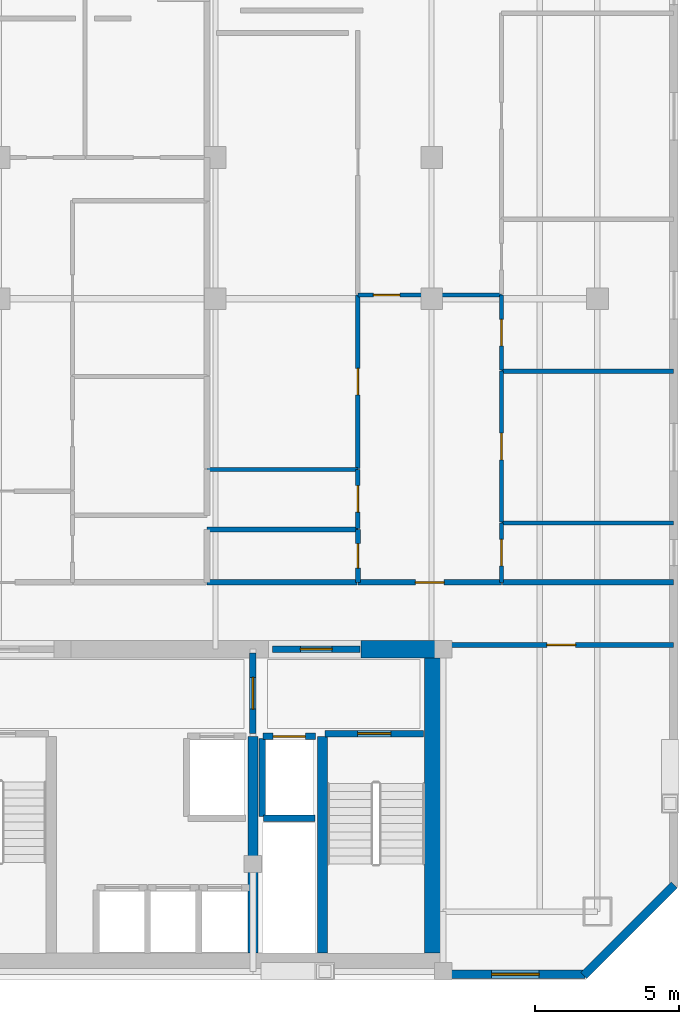
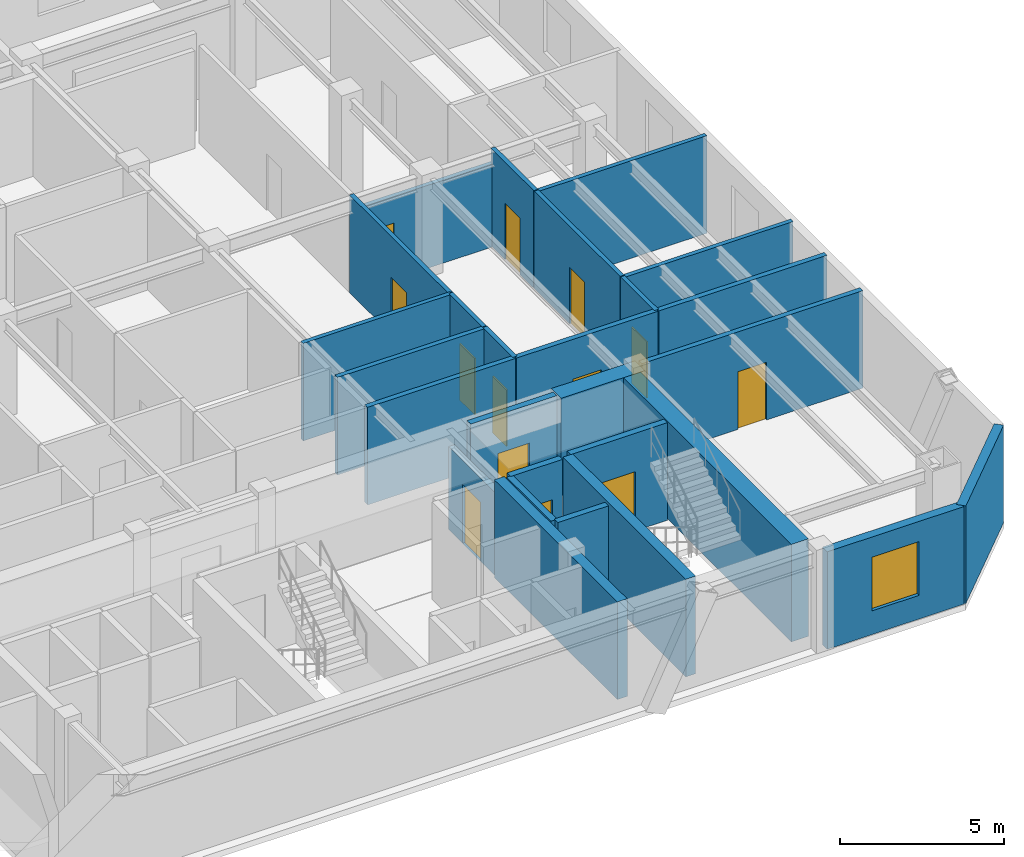
# One storey, part 7 of 10: 27 walls, 13 doors, 1 window, 14 openings.
"""IFC4 building model written with IfcOpenShell, lengths in metres."""

import ifcopenshell
import ifcopenshell.guid

model = None  # the IFC model being written
_history = None  # IfcOwnerHistory: only IFC2X3 demands one
_inside = {}  # id of a spatial element -> (the spatial element, [elements in it])
_under = {}  # id of a project, library or spatial element -> (it, [spatial elements below it])
_declared = {}  # id of a project -> (the project, [libraries it declares])
_typed = {}  # id of a type object -> (the type object, [elements of that type])
_made_of = {}  # id of a material, layer set ... -> (it, [elements and type objects made of it])


def new_model(schema):
    """Start an empty IFC model of exactly this schema.

    Asked for "IFC4X3", IfcOpenShell would pick the latest addendum, in which some entities
    have other attributes; the version numbers below select the first issue.
    IFC2X3 requires an IfcOwnerHistory on every rooted entity: one is made here for all.
    """
    global model, _history
    if schema == "IFC4X3":
        model = ifcopenshell.file(schema_version=(4, 3, 0, 0))
    else:
        model = ifcopenshell.file(schema=schema)
    _inside.clear()
    _under.clear()
    _declared.clear()
    _typed.clear()
    _made_of.clear()
    _history = None
    if model.schema == "IFC2X3":
        org = make("IfcOrganization", Name="unknown")
        user = make(
            "IfcPersonAndOrganization",
            ThePerson=make("IfcPerson", FamilyName="unknown"),
            TheOrganization=org,
        )
        app = make(
            "IfcApplication",
            ApplicationDeveloper=org,
            Version="unknown",
            ApplicationFullName="unknown",
            ApplicationIdentifier="unknown",
        )
        _history = make(
            "IfcOwnerHistory",
            OwningUser=user,
            OwningApplication=app,
            ChangeAction="ADDED",
            CreationDate=0,
        )
    return model


def make(cls, **values):
    """One entity of the class cls with the attributes given. An attribute that is None is left unset."""
    return model.create_entity(
        cls, **{name: value for name, value in values.items() if value is not None}
    )


def rooted(cls, **values):
    """An entity with a GlobalId (a new one), such as an element, a storey or a relation."""
    return make(cls, GlobalId=ifcopenshell.guid.new(), OwnerHistory=_history, **values)


def si_unit(unit_type, name, prefix=None):
    """IfcSIUnit, for example si_unit("LENGTHUNIT", "METRE", prefix="MILLI")."""
    return make("IfcSIUnit", UnitType=unit_type, Prefix=prefix, Name=name)


def assignment(units):
    """IfcUnitAssignment: the units of a project."""
    return None if units is None else make("IfcUnitAssignment", Units=units)


def point(xyz):
    """IfcCartesianPoint."""
    return None if xyz is None else make("IfcCartesianPoint", Coordinates=xyz)


def direction(xyz):
    """IfcDirection."""
    return None if xyz is None else make("IfcDirection", DirectionRatios=xyz)


def frame(location, z_axis=None, x_axis=None):
    """IfcAxis2Placement3D, a coordinate frame: its origin and axes. An axis left out is left unset."""
    return make(
        "IfcAxis2Placement3D",
        Location=point(location),
        Axis=direction(z_axis),
        RefDirection=direction(x_axis),
    )


def frame_2d(location, x_axis=None):
    """IfcAxis2Placement2D, a coordinate frame in the plane: its origin and x axis."""
    return make(
        "IfcAxis2Placement2D", Location=point(location), RefDirection=direction(x_axis)
    )


def origin():
    """The frame at (0, 0, 0) with its axes left unset."""
    return frame((0.0, 0.0, 0.0))


def place(relative_to, where):
    """IfcLocalPlacement: puts the frame where relative to a parent placement (None: the world)."""
    return make(
        "IfcLocalPlacement", PlacementRelTo=relative_to, RelativePlacement=where
    )


def context(
    kind, dimensions, precision=None, world=None, true_north=None, identifier=None
):
    """IfcGeometricRepresentationContext, for example the 3D "Model" context."""
    return make(
        "IfcGeometricRepresentationContext",
        ContextIdentifier=identifier,
        ContextType=kind,
        CoordinateSpaceDimension=dimensions,
        Precision=precision,
        WorldCoordinateSystem=world,
        TrueNorth=true_north,
    )


def subcontext(parent, identifier, kind, view, scale=None):
    """IfcGeometricRepresentationSubContext, for example "Body" below "Model"."""
    return make(
        "IfcGeometricRepresentationSubContext",
        ContextIdentifier=identifier,
        ContextType=kind,
        ParentContext=parent,
        TargetScale=scale,
        TargetView=view,
    )


def project(units=None, contexts=None):
    """IfcProject with its units and contexts."""
    return rooted(
        "IfcProject",
        Name="project",
        RepresentationContexts=contexts,
        UnitsInContext=assignment(units),
    )


def spatial(cls, under=None, at=None, **own):
    """A site, building, storey or space (cls), placed at a placement, below another one or the project."""
    s = rooted(cls, ObjectPlacement=at, **own)
    if under is not None:
        _under.setdefault(under.id(), (under, []))[1].append(s)
    return s


def profile(cls, at=None, kind="AREA", **sizes):
    """A parametric profile (cls). Its sizes go by their IFC names, for example OverallWidth=200.0."""
    return make(cls, ProfileType=kind, Position=at, **sizes)


def rectangle(**sizes):
    """IfcRectangleProfileDef."""
    return profile("IfcRectangleProfileDef", **sizes)


def extrude(swept, where, along, depth):
    """IfcExtrudedAreaSolid: the profile swept, set in the frame where, extruded along a direction by depth."""
    return make(
        "IfcExtrudedAreaSolid",
        SweptArea=swept,
        Position=where,
        ExtrudedDirection=direction(along),
        Depth=depth,
    )


def shape(context_of_items, identifier, shape_type, items):
    """IfcShapeRepresentation: the items that make up one representation, for example the "Body"."""
    return make(
        "IfcShapeRepresentation",
        ContextOfItems=context_of_items,
        RepresentationIdentifier=identifier,
        RepresentationType=shape_type,
        Items=items,
    )


def material(Name=None, Category=None):
    """IfcMaterial."""
    return make("IfcMaterial", Name=Name, Category=Category)


def layer(
    of_material, thickness, ventilated=None, Name=None, Category=None, Priority=None
):
    """IfcMaterialLayer: one layer of a wall or slab, of a material (None: an air gap)."""
    return make(
        "IfcMaterialLayer",
        Material=of_material,
        LayerThickness=thickness,
        IsVentilated=ventilated,
        Name=Name,
        Category=Category,
        Priority=Priority,
    )


def layer_set(layers, Name=None):
    """IfcMaterialLayerSet."""
    return make("IfcMaterialLayerSet", MaterialLayers=layers, LayerSetName=Name)


def made_of(thing, what):
    """Note that an element or type object is made of a material, layer set ...; save() writes the relation."""
    if what is not None:
        _made_of.setdefault(what.id(), (what, []))[1].append(thing)
    return thing


def type_object(cls, material=None, **own):
    """A type object (cls), such as IfcWallType, which elements share."""
    return made_of(rooted(cls, **own), material)


def element(
    cls,
    number,
    at=None,
    inside=None,
    cuts=None,
    type_object=None,
    material=None,
    context=None,
    identifier="Body",
    shape_type=None,
    held_by="IfcProductDefinitionShape",
    body=None,
    shapes=None,
    **own,
):
    """One element of the class cls, such as IfcWall. Its Tag is "e" and its number.

    at: its placement. inside: the storey or other place that contains it. cuts: it is an
    opening in that element (IfcRelVoidsElement). A single representation is given by context,
    identifier, shape_type and body (its items); several are given by shapes. held_by: the class
    of the entity that holds the representations. save() writes the other relations.
    """
    e = rooted(cls, Tag="e%d" % number, ObjectPlacement=at, **own)
    if body is not None:
        shapes = [shape(context, identifier, shape_type, body)]
    if shapes is not None:
        e.Representation = make(held_by, Representations=shapes)
    if inside is not None:
        _inside.setdefault(inside.id(), (inside, []))[1].append(e)
    if cuts is not None:
        rooted(
            "IfcRelVoidsElement", RelatingBuildingElement=cuts, RelatedOpeningElement=e
        )
    if type_object is not None:
        _typed.setdefault(type_object.id(), (type_object, []))[1].append(e)
    return made_of(e, material)


def fill(opening, filler):
    """IfcRelFillsElement: the door or window that sits in an opening."""
    return rooted(
        "IfcRelFillsElement",
        RelatingOpeningElement=opening,
        RelatedBuildingElement=filler,
    )


def aggregate(whole, parts):
    """IfcRelAggregates: a whole, such as a stair, and the parts it consists of."""
    return rooted("IfcRelAggregates", RelatingObject=whole, RelatedObjects=parts)


def save(model, path):
    """Write the relations noted so far, then the file.

    IfcRelAggregates (storeys below a building ...), IfcRelContainedInSpatialStructure (elements
    in a storey), IfcRelDefinesByType, IfcRelAssociatesMaterial and IfcRelDeclares: one each for
    every whole, place, type object, material and project.
    """
    for whole, parts in _under.values():
        aggregate(whole, parts)
    for where, things in _inside.values():
        rooted(
            "IfcRelContainedInSpatialStructure",
            RelatedElements=things,
            RelatingStructure=where,
        )
    for kind, things in _typed.values():
        rooted("IfcRelDefinesByType", RelatedObjects=things, RelatingType=kind)
    for what, things in _made_of.values():
        rooted("IfcRelAssociatesMaterial", RelatedObjects=things, RelatingMaterial=what)
    for by, libraries in _declared.values():
        rooted("IfcRelDeclares", RelatingContext=by, RelatedDefinitions=libraries)
    model.write(path)


model = new_model("IFC4")

# Units and contexts
model_context = context("Model", 3, precision=1e-05, world=origin(), true_north=direction((0.0, 1.0)))
body_context = subcontext(model_context, "Body", "Model", "MODEL_VIEW")
ifc_project = project(units=[si_unit("LENGTHUNIT", "METRE"), si_unit("AREAUNIT", "SQUARE_METRE"), si_unit("VOLUMEUNIT", "CUBIC_METRE"), si_unit("PLANEANGLEUNIT", "RADIAN"), si_unit("MASSUNIT", "GRAM", prefix="KILO")], contexts=[model_context])

# Site, building, storey
site_placement = place(None, origin())
site = spatial("IfcSite", under=ifc_project, at=site_placement, CompositionType="ELEMENT")
building_placement = place(site_placement, origin())
building = spatial("IfcBuilding", under=site, at=building_placement, Name="Ventersveld Concourse Tower", CompositionType="ELEMENT")
storey_placement = place(building_placement, frame((0.0, 0.0, 208.0)))
storey = spatial("IfcBuildingStorey", under=building, at=storey_placement, Name="L51", CompositionType="ELEMENT", Elevation=208.0)

# Walls
ifc_material_1 = material(Name="Concrete C50/60", Category="concrete")
ifc_layer_1 = layer(ifc_material_1, 0.35009765625)
ifc_layer_set_1 = layer_set([ifc_layer_1], Name="Concrete C50/60")
wall_type_1 = type_object("IfcWallType", Name="WL-CORE-350U", PredefinedType="SHEAR", material=ifc_layer_set_1)
for number, where, z_axis, x_axis, name in (
    (1, (37.550048828125, 0.919921875, 0.0), (0.0, 0.0, 1.0), (0.0, 1.0, 0.0), "L51 Core Internal Shear Web W-SVL-W"),
    (2, (39.9599609375, 0.919921875, 0.0), (0.0, 0.0, 1.0), (0.0, 1.0, 0.0), "L51 Core Internal Shear Web W-ST2-W"),
):
    element("IfcWall", number, at=place(storey_placement, frame(where, z_axis=z_axis, x_axis=x_axis)), inside=storey, type_object=wall_type_1, Name=name, PredefinedType="SHEAR", context=body_context, shape_type="SweptSolid", body=[
        extrude(rectangle(XDim=7.5, YDim=0.35009765625, at=frame_2d((3.75, 0.0))), origin(), (0.0, 0.0, 1.0), 3.6298828125),
    ])
ifc_layer_2 = layer(ifc_material_1, 0.60009765625)
ifc_layer_set_2 = layer_set([ifc_layer_2], Name="Concrete C50/60")
wall_type_2 = type_object("IfcWallType", Name="WL-CORE-600", PredefinedType="SHEAR", material=ifc_layer_set_2)
wall_1_placement = place(storey_placement, frame((43.800048828125, 0.919921875, 0.0), z_axis=(0.0, 0.0, 1.0), x_axis=(0.0, 1.0, 0.0)))
element("IfcWall", 3, at=wall_1_placement, inside=storey, type_object=wall_type_2, Name="L51 Rear Core East Shear Wall", PredefinedType="SHEAR", context=body_context, shape_type="SweptSolid", body=[
    extrude(rectangle(XDim=10.530029296875, YDim=0.60009765625, at=frame_2d((5.26513671875, 0.0))), origin(), (0.0, 0.0, 1.0), 3.6298828125),
])
wall_2_placement = place(storey_placement, frame((41.300048828125, 11.449951171875, 0.0), z_axis=(0.0, 0.0, 1.0), x_axis=(1.0, 0.0, 0.0)))
element("IfcWall", 4, at=wall_2_placement, inside=storey, type_object=wall_type_2, Name="L51 Rear Core North Shear Wall NE", PredefinedType="SHEAR", context=body_context, shape_type="SweptSolid", body=[
    extrude(rectangle(XDim=2.949951171875, YDim=0.60009765625, at=frame_2d((1.47509765625, 0.0))), origin(), (0.0, 0.0, 1.0), 3.6298828125),
])

# Wall, opening, door
ifc_material_2 = material(Name="Fire-rated autoclaved aerated masonry blockwork", Category="masonry")
ifc_layer_3 = layer(ifc_material_2, 0.179931640625)
ifc_layer_set_3 = layer_set([ifc_layer_3], Name="Fire-rated autoclaved aerated masonry blockwork")
wall_type_3 = type_object("IfcWallType", Name="WL-CORR-180", PredefinedType="PARTITIONING", material=ifc_layer_set_3)
wall_3_placement = place(storey_placement, frame((44.35498046875, 11.60009765625, 0.0), z_axis=(0.0, 0.0, 1.0), x_axis=(1.0, 0.0, 0.0)))
wall_3 = element("IfcWall", 5, at=wall_3_placement, inside=storey, type_object=wall_type_3, Name="L51 Interior Partition SP-L51-SE-OFF-SP-L51-COR", PredefinedType="PARTITIONING", context=body_context, shape_type="SweptSolid", body=[
    extrude(rectangle(XDim=7.7724609375, YDim=0.179931640625, at=frame_2d((3.88623046875, 0.0))), origin(), (0.0, 0.0, 1.0), 3.6298828125),
])
opening_1_placement = place(wall_3_placement, frame((3.38623046875, 0.0, 0.0)))
opening_1 = element("IfcOpeningElement", 6, at=opening_1_placement, cuts=wall_3, Name="Opening FD3", PredefinedType="OPENING", context=body_context, shape_type="SweptSolid", body=[
    extrude(rectangle(XDim=1.0, YDim=2.14990234375, at=frame_2d((0.5, 1.074951171875))), frame((0.0, 0.10009765625, 0.0), z_axis=(0.0, -1.0, 0.0), x_axis=(1.0, 0.0, 0.0)), (0.0, 0.0, 1.0), 0.199951171875),
])
ifc_material_3 = material(Name="Solid-core hardwood veneer timber", Category="wood")
door_type_1 = type_object("IfcDoorType", Name="DR-FLAT-100", OperationType="NOTDEFINED", PredefinedType="DOOR", material=ifc_material_3)
door_1_placement = place(opening_1_placement, origin())
door_1 = element("IfcDoor", 7, at=door_1_placement, inside=storey, type_object=door_type_1, Name="L51 Interior Door SP-L51-SE-OFF to SP-L51-COR (D-L51-2477)", OperationType="SINGLE_SWING_LEFT", OverallHeight=2.14990234375, OverallWidth=1.0, PredefinedType="DOOR", context=body_context, shape_type="SweptSolid", body=[
    extrude(rectangle(XDim=1.0, YDim=2.14990234375, at=frame_2d((0.5, 1.074951171875))), frame((0.0, 0.02490234375, 0.0), z_axis=(0.0, -1.0, 0.0), x_axis=(1.0, 0.0, 0.0)), (0.0, 0.0, 1.0), 0.050048828125),
])
fill(opening_1, door_1)

wall_4_placement = place(storey_placement, frame((41.18798828125, 13.77001953125, 0.0), z_axis=(0.0, 0.0, 1.0), x_axis=(1.0, 0.0, 0.0)))
wall_4 = element("IfcWall", 8, at=wall_4_placement, inside=storey, type_object=wall_type_3, Name="L51 Interior Partition SP-L51-COR-SP-L51-51CE-FOY", PredefinedType="PARTITIONING", context=body_context, shape_type="SweptSolid", body=[
    extrude(rectangle(XDim=4.989990234375, YDim=0.179931640625, at=frame_2d((2.4951171875, 0.0))), origin(), (0.0, 0.0, 1.0), 3.6298828125),
])
opening_2_placement = place(wall_4_placement, frame((1.9951171875, 0.0, 0.0)))
opening_2 = element("IfcOpeningElement", 9, at=opening_2_placement, cuts=wall_4, Name="Opening FD3", PredefinedType="OPENING", context=body_context, shape_type="SweptSolid", body=[
    extrude(rectangle(XDim=1.0, YDim=2.14990234375, at=frame_2d((0.5, 1.074951171875))), frame((0.0, 0.10009765625, 0.0), z_axis=(0.0, -1.0, 0.0), x_axis=(1.0, 0.0, 0.0)), (0.0, 0.0, 1.0), 0.199951171875),
])
door_2_placement = place(opening_2_placement, origin())
door_2 = element("IfcDoor", 10, at=door_2_placement, inside=storey, type_object=door_type_1, Name="L51 Interior Door SP-L51-COR to SP-L51-51CE-FOY (FD-L51-2479)", OperationType="SINGLE_SWING_LEFT", OverallHeight=2.14990234375, OverallWidth=1.0, PredefinedType="DOOR", context=body_context, shape_type="SweptSolid", body=[
    extrude(rectangle(XDim=1.0, YDim=2.14990234375, at=frame_2d((0.5, 1.074951171875))), frame((0.0, 0.02490234375, 0.0), z_axis=(0.0, -1.0, 0.0), x_axis=(1.0, 0.0, 0.0)), (0.0, 0.0, 1.0), 0.050048828125),
])
fill(opening_2, door_2)

# Walls
wall_5_placement = place(storey_placement, frame((35.955078125, 13.77001953125, 0.0), z_axis=(0.0, 0.0, 1.0), x_axis=(1.0, 0.0, 0.0)))
element("IfcWall", 11, at=wall_5_placement, inside=storey, type_object=wall_type_3, Name="L51 Interior Partition SP-L51-COR-SP-L51-51CE-BATH", PredefinedType="PARTITIONING", context=body_context, shape_type="SweptSolid", body=[
    extrude(rectangle(XDim=5.203125, YDim=0.179931640625, at=frame_2d((2.6015625, 0.0))), origin(), (0.0, 0.0, 1.0), 3.6298828125),
])
wall_6_placement = place(storey_placement, frame((46.2080078125, 13.77001953125, 0.0), z_axis=(0.0, 0.0, 1.0), x_axis=(1.0, 0.0, 0.0)))
element("IfcWall", 12, at=wall_6_placement, inside=storey, type_object=wall_type_3, Name="L51 Interior Partition SP-L51-COR-SP-L51-51CE-KIT", PredefinedType="PARTITIONING", context=body_context, shape_type="SweptSolid", body=[
    extrude(rectangle(XDim=5.91943359375, YDim=0.179931640625, at=frame_2d((2.959716796875, 0.0))), origin(), (0.0, 0.0, 1.0), 3.6298828125),
])
ifc_layer_4 = layer(ifc_material_2, 0.219970703125)
ifc_layer_set_4 = layer_set([ifc_layer_4], Name="Fire-rated autoclaved aerated masonry blockwork")
wall_type_4 = type_object("IfcWallType", Name="WL-HOIST-220", PredefinedType="SOLIDWALL", material=ifc_layer_set_4)
wall_7_placement = place(storey_placement, frame((37.919921875, 5.590087890625, 0.0), z_axis=(0.0, 0.0, 1.0), x_axis=(1.0, 0.0, 0.0)))
element("IfcWall", 13, at=wall_7_placement, inside=storey, type_object=wall_type_4, Name="L51 Lift Hoistway Back Wall FFL-02", PredefinedType="SOLIDWALL", context=body_context, shape_type="SweptSolid", body=[
    extrude(rectangle(XDim=1.780029296875, YDim=0.219970703125, at=frame_2d((0.89013671875, 0.0))), origin(), (0.0, 0.0, 1.0), 3.6298828125),
])
wall_8_placement = place(storey_placement, frame((37.8798828125, 5.64990234375, 0.0), z_axis=(0.0, 0.0, 1.0), x_axis=(0.0, 1.0, 0.0)))
element("IfcWall", 14, at=wall_8_placement, inside=storey, type_object=wall_type_4, Name="L51 Lift Hoistway Side Wall FFL-02W", PredefinedType="SOLIDWALL", context=body_context, shape_type="SweptSolid", body=[
    extrude(rectangle(XDim=2.7001953125, YDim=0.219970703125, at=frame_2d((1.35009765625, 0.0))), origin(), (0.0, 0.0, 1.0), 3.6298828125),
])

# Wall, opening, door
wall_9_placement = place(storey_placement, frame((37.89990234375, 8.429931640625, 0.0), z_axis=(0.0, 0.0, 1.0), x_axis=(1.0, 0.0, 0.0)))
wall_9 = element("IfcWall", 15, at=wall_9_placement, inside=storey, type_object=wall_type_4, Name="L51 Lift Hoistway Front Wall FFL-02", PredefinedType="SOLIDWALL", context=body_context, shape_type="SweptSolid", body=[
    extrude(rectangle(XDim=1.820068359375, YDim=0.219970703125, at=frame_2d((0.91015625, 0.0))), origin(), (0.0, 0.0, 1.0), 3.6298828125),
])
opening_3_placement = place(wall_9_placement, frame((0.35009765625, 0.0, 0.0)))
opening_3 = element("IfcOpeningElement", 16, at=opening_3_placement, cuts=wall_9, Name="Opening LD1", PredefinedType="OPENING", context=body_context, shape_type="SweptSolid", body=[
    extrude(rectangle(XDim=1.1201171875, YDim=2.25, at=frame_2d((0.56005859375, 1.125))), frame((0.0, 0.1201171875, 0.0), z_axis=(0.0, -1.0, 0.0), x_axis=(1.0, 0.0, 0.0)), (0.0, 0.0, 1.0), 0.239990234375),
])
ifc_material_4 = material(Name="Brushed stainless steel 316", Category="steel")
door_type_2 = type_object("IfcDoorType", Name="LD-FF-112", OperationType="SLIDING_TO_LEFT", PredefinedType="DOOR", material=ifc_material_4)
door_3_placement = place(opening_3_placement, origin())
door_3 = element("IfcDoor", 17, at=door_3_placement, inside=storey, type_object=door_type_2, Name="L51 Lift landing door FFL-02 (LD-L51-FFL-02)", OperationType="SLIDING_TO_RIGHT", OverallHeight=2.25, OverallWidth=1.1201171875, PredefinedType="DOOR", context=body_context, shape_type="SweptSolid", body=[
    extrude(rectangle(XDim=1.1201171875, YDim=2.25, at=frame_2d((0.56005859375, 1.125))), frame((0.0, 0.02490234375, 0.0), z_axis=(0.0, -1.0, 0.0), x_axis=(1.0, 0.0, 0.0)), (0.0, 0.0, 1.0), 0.050048828125),
])
fill(opening_3, door_3)

wall_10_placement = place(storey_placement, frame((40.06005859375, 8.52001953125, 0.0), z_axis=(0.0, 0.0, 1.0), x_axis=(1.0, 0.0, 0.0)))
wall_10 = element("IfcWall", 18, at=wall_10_placement, inside=storey, type_object=wall_type_4, Name="L51 Escape Stair ST02 Fire Wall", PredefinedType="SOLIDWALL", context=body_context, shape_type="SweptSolid", body=[
    extrude(rectangle(XDim=3.39990234375, YDim=0.219970703125, at=frame_2d((1.699951171875, 0.0))), origin(), (0.0, 0.0, 1.0), 3.6298828125),
])
opening_4_placement = place(wall_10_placement, frame((1.125, 0.0, 0.0)))
opening_4 = element("IfcOpeningElement", 19, at=opening_4_placement, cuts=wall_10, Name="Opening FD1", PredefinedType="OPENING", context=body_context, shape_type="SweptSolid", body=[
    extrude(rectangle(XDim=1.14990234375, YDim=2.199951171875, at=frame_2d((0.574951171875, 1.10009765625))), frame((0.0, 0.1201171875, 0.0), z_axis=(0.0, -1.0, 0.0), x_axis=(1.0, 0.0, 0.0)), (0.0, 0.0, 1.0), 0.239990234375),
])
ifc_material_5 = material(Name="Galvanised painted steel", Category="steel")
door_type_3 = type_object("IfcDoorType", Name="DR-STAIR-115", OperationType="NOTDEFINED", PredefinedType="DOOR", material=ifc_material_5)
door_4_placement = place(opening_4_placement, origin())
door_4 = element("IfcDoor", 20, at=door_4_placement, inside=storey, type_object=door_type_3, Name="L51 Escape Stair Door ST02 (SD-L51-2468)", OperationType="SINGLE_SWING_RIGHT", OverallHeight=2.199951171875, OverallWidth=1.14990234375, PredefinedType="DOOR", context=body_context, shape_type="SweptSolid", body=[
    extrude(rectangle(XDim=1.14990234375, YDim=2.199951171875, at=frame_2d((0.574951171875, 1.10009765625))), frame((0.0, 0.02490234375, 0.0), z_axis=(0.0, -1.0, 0.0), x_axis=(1.0, 0.0, 0.0)), (0.0, 0.0, 1.0), 0.050048828125),
])
fill(opening_4, door_4)

wall_11_placement = place(storey_placement, frame((37.550048828125, 8.52001953125, 0.0), z_axis=(0.0, 0.0, 1.0), x_axis=(0.0, 1.0, 0.0)))
wall_11 = element("IfcWall", 21, at=wall_11_placement, inside=storey, type_object=wall_type_4, Name="L51 Firefighting Lobby Smoke-Stop Wall FFLE-SEP", PredefinedType="SOLIDWALL", context=body_context, shape_type="SweptSolid", body=[
    extrude(rectangle(XDim=2.800048828125, YDim=0.219970703125, at=frame_2d((1.39990234375, 0.0))), origin(), (0.0, 0.0, 1.0), 3.08544921875),
])
opening_5_placement = place(wall_11_placement, frame((0.85009765625, 0.0, 0.0)))
opening_5 = element("IfcOpeningElement", 22, at=opening_5_placement, cuts=wall_11, Name="Opening FD2", PredefinedType="OPENING", context=body_context, shape_type="SweptSolid", body=[
    extrude(rectangle(XDim=1.10009765625, YDim=2.199951171875, at=frame_2d((0.550048828125, 1.10009765625))), frame((0.0, 0.1201171875, 0.0), z_axis=(0.0, -1.0, 0.0), x_axis=(1.0, 0.0, 0.0)), (0.0, 0.0, 1.0), 0.239990234375),
])
door_type_4 = type_object("IfcDoorType", Name="DR-FFL-110", OperationType="NOTDEFINED", PredefinedType="DOOR", material=ifc_material_5)
door_5_placement = place(opening_5_placement, origin())
door_5 = element("IfcDoor", 23, at=door_5_placement, inside=storey, type_object=door_type_4, Name="L51 Firefighting Lobby Door FFLE-SEP (FD-L51-2471)", OperationType="SINGLE_SWING_RIGHT", OverallHeight=2.199951171875, OverallWidth=1.10009765625, PredefinedType="DOOR", context=body_context, shape_type="SweptSolid", body=[
    extrude(rectangle(XDim=1.10009765625, YDim=2.199951171875, at=frame_2d((0.550048828125, 1.10009765625))), frame((0.0, 0.02490234375, 0.0), z_axis=(0.0, -1.0, 0.0), x_axis=(1.0, 0.0, 0.0)), (0.0, 0.0, 1.0), 0.050048828125),
])
fill(opening_5, door_5)

wall_12_placement = place(storey_placement, frame((38.22998046875, 11.449951171875, 0.0), z_axis=(0.0, 0.0, 1.0), x_axis=(1.0, 0.0, 0.0)))
wall_12 = element("IfcWall", 24, at=wall_12_placement, inside=storey, type_object=wall_type_4, Name="L51 Core North Fire Portal FFLE-OUT", PredefinedType="SOLIDWALL", context=body_context, shape_type="SweptSolid", body=[
    extrude(rectangle(XDim=3.0400390625, YDim=0.219970703125, at=frame_2d((1.52001953125, 0.0))), origin(), (0.0, 0.0, 1.0), 3.6298828125),
])
opening_6_placement = place(wall_12_placement, frame((0.969970703125, 0.0, 0.0)))
opening_6 = element("IfcOpeningElement", 25, at=opening_6_placement, cuts=wall_12, Name="Opening FD2", PredefinedType="OPENING", context=body_context, shape_type="SweptSolid", body=[
    extrude(rectangle(XDim=1.10009765625, YDim=2.199951171875, at=frame_2d((0.550048828125, 1.10009765625))), frame((0.0, 0.1201171875, 0.0), z_axis=(0.0, -1.0, 0.0), x_axis=(1.0, 0.0, 0.0)), (0.0, 0.0, 1.0), 0.239990234375),
])
door_6_placement = place(opening_6_placement, origin())
door_6 = element("IfcDoor", 26, at=door_6_placement, inside=storey, type_object=door_type_4, Name="L51 Core Lobby Fire Door FFLE-OUT (FD-L51-2474)", OperationType="SINGLE_SWING_LEFT", OverallHeight=2.199951171875, OverallWidth=1.10009765625, PredefinedType="DOOR", context=body_context, shape_type="SweptSolid", body=[
    extrude(rectangle(XDim=1.10009765625, YDim=2.199951171875, at=frame_2d((0.550048828125, 1.10009765625))), frame((0.0, 0.02490234375, 0.0), z_axis=(0.0, -1.0, 0.0), x_axis=(1.0, 0.0, 0.0)), (0.0, 0.0, 1.0), 0.050048828125),
])
fill(opening_6, door_6)

ifc_material_6 = material(Name="Autoclaved aerated masonry blockwork", Category="masonry")
ifc_layer_5 = layer(ifc_material_6, 0.14990234375)
ifc_layer_set_5 = layer_set([ifc_layer_5], Name="Autoclaved aerated masonry blockwork")
wall_type_5 = type_object("IfcWallType", Name="WL-INT-150", PredefinedType="PARTITIONING", material=ifc_layer_set_5)
wall_13_placement = place(storey_placement, frame((41.18798828125, 23.72900390625, 0.0), z_axis=(0.0, 0.0, 1.0), x_axis=(1.0, 0.0, 0.0)))
wall_13 = element("IfcWall", 27, at=wall_13_placement, inside=storey, type_object=wall_type_5, Name="L51 Interior Partition SP-L51-51CE-FOY-SP-L51-51CE-LIV", PredefinedType="PARTITIONING", context=body_context, shape_type="SweptSolid", body=[
    extrude(rectangle(XDim=4.989990234375, YDim=0.14990234375, at=frame_2d((2.4951171875, 0.0))), origin(), (0.0, 0.0, 1.0), 3.08544921875),
])
opening_7_placement = place(wall_13_placement, frame((0.5380859375, 0.0, 0.0)))
opening_7 = element("IfcOpeningElement", 28, at=opening_7_placement, cuts=wall_13, Name="Opening ID1", PredefinedType="OPENING", context=body_context, shape_type="SweptSolid", body=[
    extrude(rectangle(XDim=0.919921875, YDim=2.10009765625, at=frame_2d((0.4599609375, 1.050048828125))), frame((0.0, 0.0849609375, 0.0), z_axis=(0.0, -1.0, 0.0), x_axis=(1.0, 0.0, 0.0)), (0.0, 0.0, 1.0), 0.169921875),
])
door_type_5 = type_object("IfcDoorType", Name="DR-ROOM-092", OperationType="NOTDEFINED", PredefinedType="DOOR", material=ifc_material_3)
door_7_placement = place(opening_7_placement, origin())
door_7 = element("IfcDoor", 29, at=door_7_placement, inside=storey, type_object=door_type_5, Name="L51 Interior Door SP-L51-51CE-FOY to SP-L51-51CE-LIV (D-L51-2490)", OperationType="SINGLE_SWING_RIGHT", OverallHeight=2.10009765625, OverallWidth=0.919921875, PredefinedType="DOOR", context=body_context, shape_type="SweptSolid", body=[
    extrude(rectangle(XDim=0.919921875, YDim=2.10009765625, at=frame_2d((0.4599609375, 1.050048828125))), frame((0.0, 0.02490234375, 0.0), z_axis=(0.0, -1.0, 0.0), x_axis=(1.0, 0.0, 0.0)), (0.0, 0.0, 1.0), 0.050048828125),
])
fill(opening_7, door_7)

wall_14_placement = place(storey_placement, frame((41.193115234375, 15.635009765625, 0.0), z_axis=(0.0, 0.0, 1.0), x_axis=(0.0, 1.0, 0.0)))
wall_14 = element("IfcWall", 30, at=wall_14_placement, inside=storey, type_object=wall_type_5, Name="L51 Interior Partition SP-L51-51CE-FOY-SP-L51-51CE-PANL0", PredefinedType="PARTITIONING", context=body_context, shape_type="SweptSolid", body=[
    extrude(rectangle(XDim=2.0498046875, YDim=0.14990234375, at=frame_2d((1.02490234375, 0.0))), origin(), (0.0, 0.0, 1.0), 3.6298828125),
])
opening_8_placement = place(wall_14_placement, frame((0.56494140625, 0.0, 0.0)))
opening_8 = element("IfcOpeningElement", 31, at=opening_8_placement, cuts=wall_14, Name="Opening ID1", PredefinedType="OPENING", context=body_context, shape_type="SweptSolid", body=[
    extrude(rectangle(XDim=0.919921875, YDim=2.10009765625, at=frame_2d((0.4599609375, 1.050048828125))), frame((0.0, 0.0849609375, 0.0), z_axis=(0.0, -1.0, 0.0), x_axis=(1.0, 0.0, 0.0)), (0.0, 0.0, 1.0), 0.169921875),
])
door_8_placement = place(opening_8_placement, origin())
door_8 = element("IfcDoor", 32, at=door_8_placement, inside=storey, type_object=door_type_5, Name="L51 Interior Door SP-L51-51CE-FOY to SP-L51-51CE-PANL0 (D-L51-2492)", OperationType="SINGLE_SWING_RIGHT", OverallHeight=2.10009765625, OverallWidth=0.919921875, PredefinedType="DOOR", context=body_context, shape_type="SweptSolid", body=[
    extrude(rectangle(XDim=0.919921875, YDim=2.10009765625, at=frame_2d((0.4599609375, 1.050048828125))), frame((0.0, 0.02490234375, 0.0), z_axis=(0.0, -1.0, 0.0), x_axis=(1.0, 0.0, 0.0)), (0.0, 0.0, 1.0), 0.050048828125),
])
fill(opening_8, door_8)

wall_15_placement = place(storey_placement, frame((41.193115234375, 17.71484375, 0.0), z_axis=(0.0, 0.0, 1.0), x_axis=(0.0, 1.0, 0.0)))
wall_15 = element("IfcWall", 33, at=wall_15_placement, inside=storey, type_object=wall_type_5, Name="L51 Interior Partition SP-L51-51CE-FOY-SP-L51-51CE-DENL", PredefinedType="PARTITIONING", context=body_context, shape_type="SweptSolid", body=[
    extrude(rectangle(XDim=6.019287109375, YDim=0.14990234375, at=frame_2d((3.009765625, 0.0))), origin(), (0.0, 0.0, 1.0), 3.6298828125),
])
opening_9_placement = place(wall_15_placement, frame((2.5498046875, 0.0, 0.0)))
opening_9 = element("IfcOpeningElement", 34, at=opening_9_placement, cuts=wall_15, Name="Opening ID1", PredefinedType="OPENING", context=body_context, shape_type="SweptSolid", body=[
    extrude(rectangle(XDim=0.919921875, YDim=2.10009765625, at=frame_2d((0.4599609375, 1.050048828125))), frame((0.0, 0.0849609375, 0.0), z_axis=(0.0, -1.0, 0.0), x_axis=(1.0, 0.0, 0.0)), (0.0, 0.0, 1.0), 0.169921875),
])
door_9_placement = place(opening_9_placement, origin())
door_9 = element("IfcDoor", 35, at=door_9_placement, inside=storey, type_object=door_type_5, Name="L51 Interior Door SP-L51-51CE-FOY to SP-L51-51CE-DENL (D-L51-2493)", OperationType="SINGLE_SWING_LEFT", OverallHeight=2.10009765625, OverallWidth=0.919921875, PredefinedType="DOOR", context=body_context, shape_type="SweptSolid", body=[
    extrude(rectangle(XDim=0.919921875, YDim=2.10009765625, at=frame_2d((0.4599609375, 1.050048828125))), frame((0.0, 0.02490234375, 0.0), z_axis=(0.0, -1.0, 0.0), x_axis=(1.0, 0.0, 0.0)), (0.0, 0.0, 1.0), 0.050048828125),
])
fill(opening_9, door_9)

wall_16_placement = place(storey_placement, frame((46.173095703125, 13.764892578125, 0.0), z_axis=(0.0, 0.0, 1.0), x_axis=(0.0, 1.0, 0.0)))
wall_16 = element("IfcWall", 36, at=wall_16_placement, inside=storey, type_object=wall_type_5, Name="L51 Interior Partition SP-L51-51CE-FOY-SP-L51-51CE-KIT", PredefinedType="PARTITIONING", context=body_context, shape_type="SweptSolid", body=[
    extrude(rectangle(XDim=2.066162109375, YDim=0.14990234375, at=frame_2d((1.033203125, 0.0))), origin(), (0.0, 0.0, 1.0), 3.6298828125),
])
opening_10_placement = place(wall_16_placement, frame((0.572998046875, 0.0, 0.0)))
opening_10 = element("IfcOpeningElement", 37, at=opening_10_placement, cuts=wall_16, Name="Opening ID1", PredefinedType="OPENING", context=body_context, shape_type="SweptSolid", body=[
    extrude(rectangle(XDim=0.919921875, YDim=2.10009765625, at=frame_2d((0.4599609375, 1.050048828125))), frame((0.0, 0.0849609375, 0.0), z_axis=(0.0, -1.0, 0.0), x_axis=(1.0, 0.0, 0.0)), (0.0, 0.0, 1.0), 0.169921875),
])
door_10_placement = place(opening_10_placement, origin())
door_10 = element("IfcDoor", 38, at=door_10_placement, inside=storey, type_object=door_type_5, Name="L51 Interior Door SP-L51-51CE-FOY to SP-L51-51CE-KIT (D-L51-2494)", OperationType="SINGLE_SWING_RIGHT", OverallHeight=2.10009765625, OverallWidth=0.919921875, PredefinedType="DOOR", context=body_context, shape_type="SweptSolid", body=[
    extrude(rectangle(XDim=0.919921875, YDim=2.10009765625, at=frame_2d((0.4599609375, 1.050048828125))), frame((0.0, 0.02490234375, 0.0), z_axis=(0.0, -1.0, 0.0), x_axis=(1.0, 0.0, 0.0)), (0.0, 0.0, 1.0), 0.050048828125),
])
fill(opening_10, door_10)

wall_17_placement = place(storey_placement, frame((46.173095703125, 15.861083984375, 0.0), z_axis=(0.0, 0.0, 1.0), x_axis=(0.0, 1.0, 0.0)))
wall_17 = element("IfcWall", 39, at=wall_17_placement, inside=storey, type_object=wall_type_5, Name="L51 Interior Partition SP-L51-51CE-FOY-SP-L51-51CE-DENR", PredefinedType="PARTITIONING", context=body_context, shape_type="SweptSolid", body=[
    extrude(rectangle(XDim=5.233642578125, YDim=0.14990234375, at=frame_2d((2.61669921875, 0.0))), origin(), (0.0, 0.0, 1.0), 3.6298828125),
])
opening_11_placement = place(wall_17_placement, frame((2.156982421875, 0.0, 0.0)))
opening_11 = element("IfcOpeningElement", 40, at=opening_11_placement, cuts=wall_17, Name="Opening ID1", PredefinedType="OPENING", context=body_context, shape_type="SweptSolid", body=[
    extrude(rectangle(XDim=0.919921875, YDim=2.10009765625, at=frame_2d((0.4599609375, 1.050048828125))), frame((0.0, 0.0849609375, 0.0), z_axis=(0.0, -1.0, 0.0), x_axis=(1.0, 0.0, 0.0)), (0.0, 0.0, 1.0), 0.169921875),
])
door_11_placement = place(opening_11_placement, origin())
door_11 = element("IfcDoor", 41, at=door_11_placement, inside=storey, type_object=door_type_5, Name="L51 Interior Door SP-L51-51CE-FOY to SP-L51-51CE-DENR (D-L51-2495)", OperationType="SINGLE_SWING_LEFT", OverallHeight=2.10009765625, OverallWidth=0.919921875, PredefinedType="DOOR", context=body_context, shape_type="SweptSolid", body=[
    extrude(rectangle(XDim=0.919921875, YDim=2.10009765625, at=frame_2d((0.4599609375, 1.050048828125))), frame((0.0, 0.02490234375, 0.0), z_axis=(0.0, -1.0, 0.0), x_axis=(1.0, 0.0, 0.0)), (0.0, 0.0, 1.0), 0.050048828125),
])
fill(opening_11, door_11)

wall_18_placement = place(storey_placement, frame((46.173095703125, 21.124755859375, 0.0), z_axis=(0.0, 0.0, 1.0), x_axis=(0.0, 1.0, 0.0)))
wall_18 = element("IfcWall", 42, at=wall_18_placement, inside=storey, type_object=wall_type_5, Name="L51 Interior Partition SP-L51-51CE-FOY-SP-L51-51CE-DENS", PredefinedType="PARTITIONING", context=body_context, shape_type="SweptSolid", body=[
    extrude(rectangle(XDim=2.609375, YDim=0.14990234375, at=frame_2d((1.3046875, 0.0))), origin(), (0.0, 0.0, 1.0), 3.6298828125),
])
opening_12_placement = place(wall_18_placement, frame((0.8447265625, 0.0, 0.0)))
opening_12 = element("IfcOpeningElement", 43, at=opening_12_placement, cuts=wall_18, Name="Opening ID1", PredefinedType="OPENING", context=body_context, shape_type="SweptSolid", body=[
    extrude(rectangle(XDim=0.919921875, YDim=2.10009765625, at=frame_2d((0.4599609375, 1.050048828125))), frame((0.0, 0.0849609375, 0.0), z_axis=(0.0, -1.0, 0.0), x_axis=(1.0, 0.0, 0.0)), (0.0, 0.0, 1.0), 0.169921875),
])
door_12_placement = place(opening_12_placement, origin())
door_12 = element("IfcDoor", 44, at=door_12_placement, inside=storey, type_object=door_type_5, Name="L51 Interior Door SP-L51-51CE-FOY to SP-L51-51CE-DENS (D-L51-2496)", OperationType="SINGLE_SWING_RIGHT", OverallHeight=2.10009765625, OverallWidth=0.919921875, PredefinedType="DOOR", context=body_context, shape_type="SweptSolid", body=[
    extrude(rectangle(XDim=0.919921875, YDim=2.10009765625, at=frame_2d((0.4599609375, 1.050048828125))), frame((0.0, 0.02490234375, 0.0), z_axis=(0.0, -1.0, 0.0), x_axis=(1.0, 0.0, 0.0)), (0.0, 0.0, 1.0), 0.050048828125),
])
fill(opening_12, door_12)

# Walls
wall_19_placement = place(storey_placement, frame((35.955078125, 17.6796875, 0.0), z_axis=(0.0, 0.0, 1.0), x_axis=(1.0, 0.0, 0.0)))
element("IfcWall", 45, at=wall_19_placement, inside=storey, type_object=wall_type_5, Name="L51 Interior Partition SP-L51-51CE-PANL0-SP-L51-51CE-DENL", PredefinedType="PARTITIONING", context=body_context, shape_type="SweptSolid", body=[
    extrude(rectangle(XDim=5.242919921875, YDim=0.14990234375, at=frame_2d((2.62158203125, 0.0))), origin(), (0.0, 0.0, 1.0), 3.6298828125),
])
for number, where, z_axis, x_axis, name in (
    (46, (46.168212890625, 15.826171875, 0.0), (0.0, 0.0, 1.0), (1.0, 0.0, 0.0), "L51 Interior Partition SP-L51-51CE-KIT-SP-L51-51CE-DENR"),
    (47, (46.168212890625, 21.08984375, 0.0), (0.0, 0.0, 1.0), (1.0, 0.0, 0.0), "L51 Interior Partition SP-L51-51CE-DENR-SP-L51-51CE-DENS"),
):
    element("IfcWall", number, at=place(storey_placement, frame(where, z_axis=z_axis, x_axis=x_axis)), inside=storey, type_object=wall_type_5, Name=name, PredefinedType="PARTITIONING", context=body_context, shape_type="SweptSolid", body=[
        extrude(rectangle(XDim=5.959228515625, YDim=0.14990234375, at=frame_2d((2.9794921875, 0.0))), origin(), (0.0, 0.0, 1.0), 3.6298828125),
    ])

# Wall, opening, window
ifc_material_7 = material(Name="Precast concrete C45/55", Category="concrete")
ifc_layer_6 = layer(ifc_material_7, 0.300048828125)
ifc_layer_set_6 = layer_set([ifc_layer_6], Name="Precast concrete C45/55")
wall_type_6 = type_object("IfcWallType", Name="WL-PREC-300", PredefinedType="SOLIDWALL", material=ifc_layer_set_6)
wall_20_placement = place(storey_placement, frame((44.25, 0.179931640625, 0.0), z_axis=(0.0, 0.0, 1.0), x_axis=(1.0, 0.0, 0.0)))
wall_20 = element("IfcWall", 48, at=wall_20_placement, inside=storey, type_object=wall_type_6, Name="L51 South-East Flank Precast Wall", PredefinedType="SOLIDWALL", context=body_context, shape_type="SweptSolid", body=[
    extrude(rectangle(XDim=4.81005859375, YDim=0.300048828125, at=frame_2d((2.405029296875, 0.0))), origin(), (0.0, 0.0, 1.0), 3.6298828125),
])
opening_13_placement = place(wall_20_placement, frame((1.580078125, 0.0, 0.8798828125)))
opening_13 = element("IfcOpeningElement", 49, at=opening_13_placement, cuts=wall_20, Name="Opening W6", PredefinedType="OPENING", context=body_context, shape_type="SweptSolid", body=[
    extrude(rectangle(XDim=1.64990234375, YDim=2.0, at=frame_2d((0.824951171875, 1.0))), frame((0.0, 0.16015625, 0.0), z_axis=(0.0, -1.0, 0.0), x_axis=(1.0, 0.0, 0.0)), (0.0, 0.0, 1.0), 0.320068359375),
])
ifc_material_8 = material(Name="Tempered acoustic Low-E IGU", Category="glass")
window_type = type_object("IfcWindowType", Name="WIN-165x200", PartitioningType="SINGLE_PANEL", PredefinedType="WINDOW", material=ifc_material_8)
window_placement = place(opening_13_placement, origin())
window = element("IfcWindow", 50, at=window_placement, inside=storey, type_object=window_type, Name="L51 Punched Low-E Window W-0718", OverallHeight=2.0, OverallWidth=1.64990234375, PartitioningType="SINGLE_PANEL", PredefinedType="WINDOW", context=body_context, shape_type="SweptSolid", body=[
    extrude(rectangle(XDim=1.64990234375, YDim=2.0, at=frame_2d((0.824951171875, 1.0))), frame((0.0, 0.030029296875, 0.0), z_axis=(0.0, -1.0, 0.0), x_axis=(1.0, 0.0, 0.0)), (0.0, 0.0, 1.0), 0.06005859375),
])
fill(opening_13, window)

# Wall
wall_21_placement = place(storey_placement, frame((49.022216796875, 0.134521484375, 0.0), z_axis=(0.0, 0.0, 1.0), x_axis=(0.707106781187, 0.707106781187, 0.0)))
element("IfcWall", 51, at=wall_21_placement, inside=storey, type_object=wall_type_6, Name="L51 Highveld Precast Facade Wall E02", PredefinedType="SOLIDWALL", context=body_context, shape_type="SweptSolid", body=[
    extrude(rectangle(XDim=4.4453125, YDim=0.300048828125, at=frame_2d((2.22265625, 0.0))), origin(), (0.0, 0.0, 1.0), 3.6298828125),
])

# Wall, opening, door
ifc_layer_7 = layer(ifc_material_6, 0.1650390625)
ifc_layer_set_7 = layer_set([ifc_layer_7], Name="Autoclaved aerated masonry blockwork")
wall_type_7 = type_object("IfcWallType", Name="WL-WET-165", PredefinedType="PLUMBINGWALL", material=ifc_layer_set_7)
wall_22_placement = place(storey_placement, frame((41.193115234375, 13.764892578125, 0.0), z_axis=(0.0, 0.0, 1.0), x_axis=(0.0, 1.0, 0.0)))
wall_22 = element("IfcWall", 52, at=wall_22_placement, inside=storey, type_object=wall_type_7, Name="L51 Interior Partition SP-L51-51CE-FOY-SP-L51-51CE-BATH", PredefinedType="PLUMBINGWALL", context=body_context, shape_type="SweptSolid", body=[
    extrude(rectangle(XDim=1.840087890625, YDim=0.1650390625, at=frame_2d((0.919921875, 0.0))), origin(), (0.0, 0.0, 1.0), 3.6298828125),
])
opening_14_placement = place(wall_22_placement, frame((0.4951171875, 0.0, 0.0)))
opening_14 = element("IfcOpeningElement", 53, at=opening_14_placement, cuts=wall_22, Name="Opening ID2", PredefinedType="OPENING", context=body_context, shape_type="SweptSolid", body=[
    extrude(rectangle(XDim=0.85009765625, YDim=2.10009765625, at=frame_2d((0.425048828125, 1.050048828125))), frame((0.0, 0.092529296875, 0.0), z_axis=(0.0, -1.0, 0.0), x_axis=(1.0, 0.0, 0.0)), (0.0, 0.0, 1.0), 0.18505859375),
])
door_type_6 = type_object("IfcDoorType", Name="DR-BATH-085", OperationType="NOTDEFINED", PredefinedType="DOOR", material=ifc_material_3)
door_13_placement = place(opening_14_placement, origin())
door_13 = element("IfcDoor", 54, at=door_13_placement, inside=storey, type_object=door_type_6, Name="L51 Interior Door SP-L51-51CE-FOY to SP-L51-51CE-BATH (D-L51-2491)", OperationType="SINGLE_SWING_LEFT", OverallHeight=2.10009765625, OverallWidth=0.85009765625, PredefinedType="DOOR", context=body_context, shape_type="SweptSolid", body=[
    extrude(rectangle(XDim=0.85009765625, YDim=2.10009765625, at=frame_2d((0.425048828125, 1.050048828125))), frame((0.0, 0.02490234375, 0.0), z_axis=(0.0, -1.0, 0.0), x_axis=(1.0, 0.0, 0.0)), (0.0, 0.0, 1.0), 0.050048828125),
])
fill(opening_14, door_13)

# Wall
wall_23_placement = place(storey_placement, frame((35.955078125, 15.60009765625, 0.0), z_axis=(0.0, 0.0, 1.0), x_axis=(1.0, 0.0, 0.0)))
element("IfcWall", 55, at=wall_23_placement, inside=storey, type_object=wall_type_7, Name="L51 Interior Partition SP-L51-51CE-BATH-SP-L51-51CE-PANL0", PredefinedType="PLUMBINGWALL", context=body_context, shape_type="SweptSolid", body=[
    extrude(rectangle(XDim=5.242919921875, YDim=0.1650390625, at=frame_2d((2.62158203125, 0.0))), origin(), (0.0, 0.0, 1.0), 3.6298828125),
])

save(model, "model.ifc")
